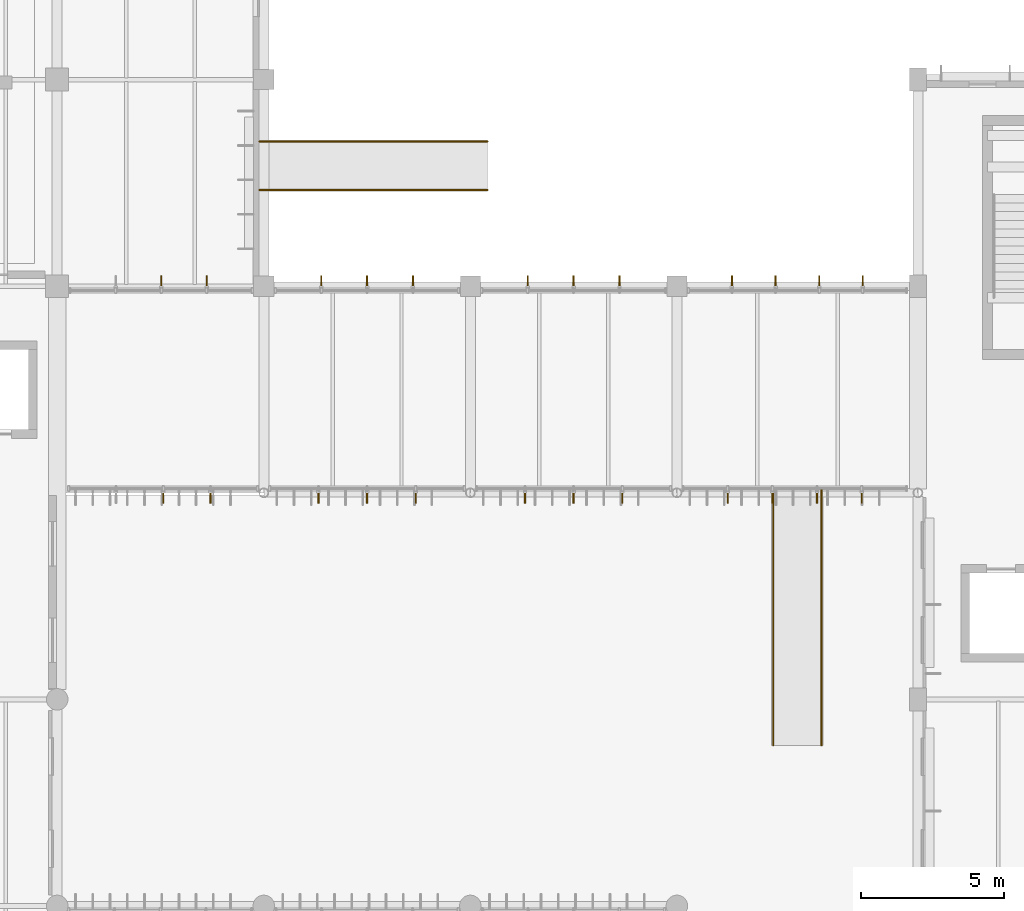
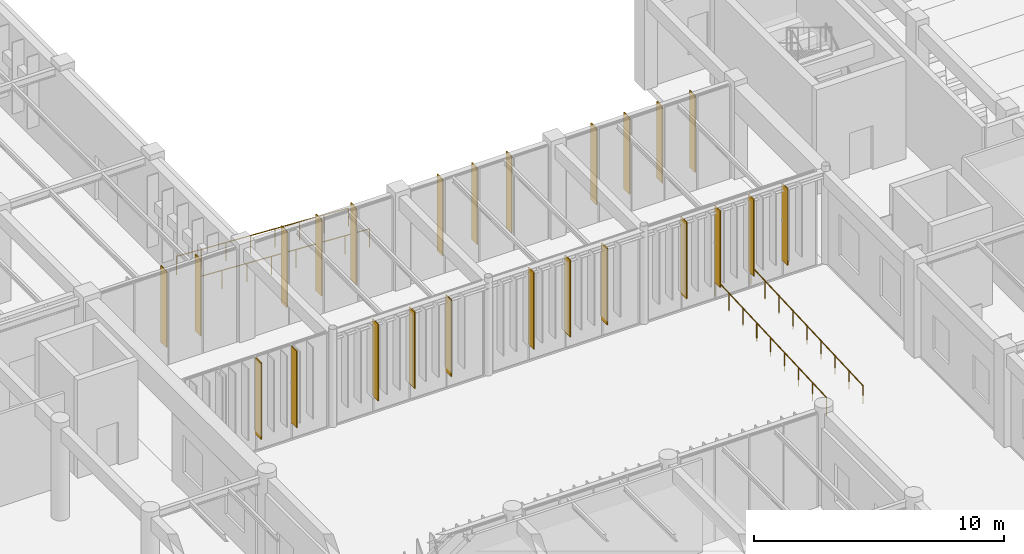
# One storey, part 114 of 122: 24 shading devices, 4 railings.
"""IFC4 building model written with IfcOpenShell, lengths in metres."""

from ifc_helpers import new_model, si_unit, direction, frame, origin, origin_2d, place, context, subcontext, project, spatial, rectangle, circle, extrude, material, layer, layer_set, material_profile, profile_set, type_object, element, save


model = new_model("IFC4")

# Units and contexts
model_context = context("Model", 3, precision=1e-05, world=origin(), true_north=direction((0.0, 1.0)))
body_context = subcontext(model_context, "Body", "Model", "MODEL_VIEW")
ifc_project = project(units=[si_unit("LENGTHUNIT", "METRE"), si_unit("AREAUNIT", "SQUARE_METRE"), si_unit("VOLUMEUNIT", "CUBIC_METRE"), si_unit("PLANEANGLEUNIT", "RADIAN"), si_unit("MASSUNIT", "GRAM", prefix="KILO")], contexts=[model_context])

# Site, building, storey
site_placement = place(None, origin())
site = spatial("IfcSite", under=ifc_project, at=site_placement, CompositionType="ELEMENT")
building_placement = place(site_placement, origin())
building = spatial("IfcBuilding", under=site, at=building_placement, Name="Tazoul Stagehouse", CompositionType="ELEMENT")
storey_placement = place(building_placement, origin())
storey = spatial("IfcBuildingStorey", under=building, at=storey_placement, Name="L00", CompositionType="ELEMENT", Elevation=0.0)

# Shading devices
ifc_material_1 = material(Name="Anodised Bronze Aluminium 6063-T6", Category="aluminium")
ifc_layer_1 = layer(ifc_material_1, 0.050048828125, Name="Anodised Bronze Aluminium 6063-T6")
ifc_layer_set_1 = layer_set([ifc_layer_1], Name="Anodised Bronze Aluminium 6063-T6")
shading_device_type_1 = type_object("IfcShadingDeviceType", Name="Angled Acoustic Sun-Screen Blade 460", PredefinedType="USERDEFINED", material=ifc_layer_set_1)
for number, where, z_axis, x_axis, name in (
    (1, (100.740966796875, 44.469970703125, 0.75), (0.0, 0.0, 1.0), (1.0, 0.0, 0.0), "Shading Louvre FIN-02 CW-ELNK-S-L00-B1-SHD03"),
    (2, (104.505859375, 44.469970703125, 0.75), (0.0, 0.0, 1.0), (1.0, 0.0, 0.0), "Shading Louvre FIN-02 CW-ELNK-S-L00-B2-SHD01"),
    (3, (107.89404296875, 44.469970703125, 0.75), (0.0, 0.0, 1.0), (1.0, 0.0, 0.0), "Shading Louvre FIN-02 CW-ELNK-S-L00-B2-SHD03"),
    (4, (111.705810546875, 44.469970703125, 0.75), (0.0, 0.0, 1.0), (1.0, 0.0, 0.0), "Shading Louvre FIN-02 CW-ELNK-S-L00-B3-SHD01"),
    (5, (115.093994140625, 44.469970703125, 0.75), (0.0, 0.0, 1.0), (1.0, 0.0, 0.0), "Shading Louvre FIN-02 CW-ELNK-S-L00-B3-SHD03"),
    (6, (118.76953125, 44.469970703125, 0.75), (0.0, 0.0, 1.0), (1.0, 0.0, 0.0), "Shading Louvre FIN-02 CW-ELNK-S-L00-B4-SHD01"),
    (7, (121.884765625, 44.469970703125, 0.75), (0.0, 0.0, 1.0), (1.0, 0.0, 0.0), "Shading Louvre FIN-02 CW-ELNK-S-L00-B4-SHD03"),
    (8, (100.612548828125, 51.929931640625, 0.75), (0.0, 0.0, 1.0), (1.0, 0.0, 0.0), "Shading Louvre FIN-02 CW-ELNK-N-L00-B1-SHD03"),
    (9, (104.60009765625, 51.929931640625, 0.75), (0.0, 0.0, 1.0), (1.0, 0.0, 0.0), "Shading Louvre FIN-02 CW-ELNK-N-L00-B2-SHD01"),
    (10, (107.800048828125, 51.929931640625, 0.75), (0.0, 0.0, 1.0), (1.0, 0.0, 0.0), "Shading Louvre FIN-02 CW-ELNK-N-L00-B2-SHD03"),
    (11, (111.800048828125, 51.929931640625, 0.75), (0.0, 0.0, 1.0), (1.0, 0.0, 0.0), "Shading Louvre FIN-02 CW-ELNK-N-L00-B3-SHD01"),
    (12, (115.0, 51.929931640625, 0.75), (0.0, 0.0, 1.0), (1.0, 0.0, 0.0), "Shading Louvre FIN-02 CW-ELNK-N-L00-B3-SHD03"),
    (13, (118.919921875, 51.929931640625, 0.75), (0.0, 0.0, 1.0), (1.0, 0.0, 0.0), "Shading Louvre FIN-02 CW-ELNK-N-L00-B4-SHD01"),
    (14, (121.9599609375, 51.929931640625, 0.75), (0.0, 0.0, 1.0), (1.0, 0.0, 0.0), "Shading Louvre FIN-02 CW-ELNK-N-L00-B4-SHD03"),
):
    element("IfcShadingDevice", number, at=place(storey_placement, frame(where, z_axis=z_axis, x_axis=x_axis)), inside=storey, type_object=shading_device_type_1, Name=name, ObjectType="FIN", PredefinedType="USERDEFINED", context=body_context, shape_type="SweptSolid", body=[
        extrude(rectangle(XDim=0.044921875, YDim=0.4599609375, at=origin_2d()), origin(), (0.0, 0.0, 1.0), 3.75),
    ])

# Railings
ifc_material_2 = material(Name="Brushed Stainless Steel 316L", Category="steel")
ifc_material_profile = material_profile(ifc_material_2, circle(Radius=0.02099609375, at=origin_2d()), Name="SS HANDRAIL D42")
ifc_profile_set = profile_set([ifc_material_profile], Name="Brushed Stainless Steel 316L")
railing_type = type_object("IfcRailingType", Name="Exterior Ramp Handrail H920", PredefinedType="HANDRAIL", material=ifc_profile_set)
for number, where, name in (
    (15, (120.360107421875, 35.800048828125, -0.419921875), "East Plaza Accessible Entrance Ramp Handrail L"),
    (16, (122.0400390625, 35.800048828125, -0.419921875), "East Plaza Accessible Entrance Ramp Handrail R"),
):
    element("IfcRailing", number, at=place(storey_placement, frame(where)), inside=storey, type_object=railing_type, Name=name, PredefinedType="HANDRAIL", context=body_context, shape_type="SweptSolid", body=[
        extrude(circle(Radius=0.02392578125, at=origin_2d()), frame((0.0, 0.0, 0.89599609375), z_axis=(0.0, 0.99890112231, 0.046867343091), x_axis=(-1.0, 0.0, 0.0)), (0.0, 0.0, 1.0), 8.959716796875),
        extrude(circle(Radius=0.02099609375, at=origin_2d()), origin(), (0.0, 0.0, 1.0), 0.871826171875),
        extrude(circle(Radius=0.02099609375, at=origin_2d()), frame((0.0, 1.11865234375, 0.052490234375)), (0.0, 0.0, 1.0), 0.871826171875),
        extrude(circle(Radius=0.02099609375, at=origin_2d()), frame((0.0, 2.237548828125, 0.10498046875)), (0.0, 0.0, 1.0), 0.871826171875),
        extrude(circle(Radius=0.02099609375, at=origin_2d()), frame((0.0, 3.356201171875, 0.157470703125)), (0.0, 0.0, 1.0), 0.871826171875),
        extrude(circle(Radius=0.02099609375, at=origin_2d()), frame((0.0, 4.47509765625, 0.2099609375)), (0.0, 0.0, 1.0), 0.871826171875),
        extrude(circle(Radius=0.02099609375, at=origin_2d()), frame((0.0, 5.59375, 0.262451171875)), (0.0, 0.0, 1.0), 0.871826171875),
        extrude(circle(Radius=0.02099609375, at=origin_2d()), frame((0.0, 6.71240234375, 0.31494140625)), (0.0, 0.0, 1.0), 0.871826171875),
        extrude(circle(Radius=0.02099609375, at=origin_2d()), frame((0.0, 7.831298828125, 0.367431640625)), (0.0, 0.0, 1.0), 0.871826171875),
        extrude(circle(Radius=0.02099609375, at=origin_2d()), frame((0.0, 8.949951171875, 0.419921875)), (0.0, 0.0, 1.0), 0.871826171875),
    ])
for number, where, name in (
    (17, (110.39990234375, 55.159912109375, -0.419921875), "East Court Auditorium Accessible Ramp Handrail L"),
    (18, (110.39990234375, 56.840087890625, -0.419921875), "East Court Auditorium Accessible Ramp Handrail R"),
):
    element("IfcRailing", number, at=place(storey_placement, frame(where)), inside=storey, type_object=railing_type, Name=name, PredefinedType="HANDRAIL", context=body_context, shape_type="SweptSolid", body=[
        extrude(circle(Radius=0.02392578125, at=origin_2d()), frame((0.0, 0.0, 0.89599609375), z_axis=(-0.998607899881, 0.0, 0.052747154371), x_axis=(0.0, -1.0, 0.0)), (0.0, 0.0, 1.0), 7.9609375),
        extrude(circle(Radius=0.02099609375, at=origin_2d()), origin(), (0.0, 0.0, 1.0), 0.871826171875),
        extrude(circle(Radius=0.02099609375, at=origin_2d()), frame((-1.1357421875, 0.0, 0.06005859375)), (0.0, 0.0, 1.0), 0.871826171875),
        extrude(circle(Radius=0.02099609375, at=origin_2d()), frame((-2.271484375, 0.0, 0.119873046875)), (0.0, 0.0, 1.0), 0.871826171875),
        extrude(circle(Radius=0.02099609375, at=origin_2d()), frame((-3.4072265625, 0.0, 0.179931640625)), (0.0, 0.0, 1.0), 0.871826171875),
        extrude(circle(Radius=0.02099609375, at=origin_2d()), frame((-4.542724609375, 0.0, 0.239990234375)), (0.0, 0.0, 1.0), 0.871826171875),
        extrude(circle(Radius=0.02099609375, at=origin_2d()), frame((-5.678466796875, 0.0, 0.300048828125)), (0.0, 0.0, 1.0), 0.871826171875),
        extrude(circle(Radius=0.02099609375, at=origin_2d()), frame((-6.814208984375, 0.0, 0.35986328125)), (0.0, 0.0, 1.0), 0.871826171875),
        extrude(circle(Radius=0.02099609375, at=origin_2d()), frame((-7.949951171875, 0.0, 0.419921875)), (0.0, 0.0, 1.0), 0.871826171875),
    ])

# Shading devices
ifc_layer_2 = layer(ifc_material_1, 0.044921875, Name="Anodised Bronze Aluminium 6063-T6")
ifc_layer_set_2 = layer_set([ifc_layer_2], Name="Anodised Bronze Aluminium 6063-T6")
shading_device_type_2 = type_object("IfcShadingDeviceType", Name="Vertical Extruded Terracotta-Bronze Louvre 460", PredefinedType="JALOUSIE", material=ifc_layer_set_2)
for number, where, z_axis, x_axis, name in (
    (19, (99.093994140625, 44.469970703125, 0.75), (0.0, 0.0, 1.0), (1.0, 0.0, 0.0), "Shading Louvre FIN-01 CW-ELNK-S-L00-B1-SHD02"),
    (20, (106.199951171875, 44.469970703125, 0.75), (0.0, 0.0, 1.0), (1.0, 0.0, 0.0), "Shading Louvre FIN-01 CW-ELNK-S-L00-B2-SHD02"),
    (21, (113.39990234375, 44.469970703125, 0.75), (0.0, 0.0, 1.0), (1.0, 0.0, 0.0), "Shading Louvre FIN-01 CW-ELNK-S-L00-B3-SHD02"),
    (22, (120.3271484375, 44.469970703125, 0.75), (0.0, 0.0, 1.0), (1.0, 0.0, 0.0), "Shading Louvre FIN-01 CW-ELNK-S-L00-B4-SHD02"),
    (23, (123.4423828125, 44.469970703125, 0.75), (0.0, 0.0, 1.0), (1.0, 0.0, 0.0), "Shading Louvre FIN-01 CW-ELNK-S-L00-B4-SHD04"),
    (24, (99.02490234375, 51.929931640625, 0.75), (0.0, 0.0, 1.0), (1.0, 0.0, 0.0), "Shading Louvre FIN-01 CW-ELNK-N-L00-B1-SHD02"),
    (25, (106.199951171875, 51.929931640625, 0.75), (0.0, 0.0, 1.0), (1.0, 0.0, 0.0), "Shading Louvre FIN-01 CW-ELNK-N-L00-B2-SHD02"),
    (26, (113.39990234375, 51.929931640625, 0.75), (0.0, 0.0, 1.0), (1.0, 0.0, 0.0), "Shading Louvre FIN-01 CW-ELNK-N-L00-B3-SHD02"),
    (27, (120.43994140625, 51.929931640625, 0.75), (0.0, 0.0, 1.0), (1.0, 0.0, 0.0), "Shading Louvre FIN-01 CW-ELNK-N-L00-B4-SHD02"),
    (28, (123.47998046875, 51.929931640625, 0.75), (0.0, 0.0, 1.0), (1.0, 0.0, 0.0), "Shading Louvre FIN-01 CW-ELNK-N-L00-B4-SHD04"),
):
    element("IfcShadingDevice", number, at=place(storey_placement, frame(where, z_axis=z_axis, x_axis=x_axis)), inside=storey, type_object=shading_device_type_2, Name=name, PredefinedType="JALOUSIE", context=body_context, shape_type="SweptSolid", body=[
        extrude(rectangle(XDim=0.044921875, YDim=0.4599609375, at=origin_2d()), origin(), (0.0, 0.0, 1.0), 3.75),
    ])

save(model, "model.ifc")
